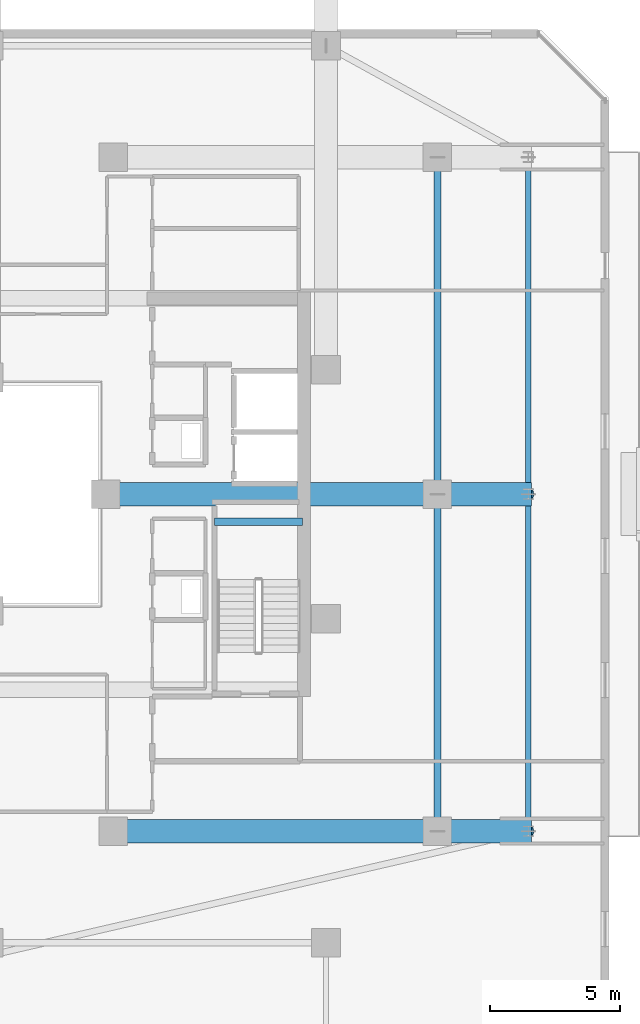
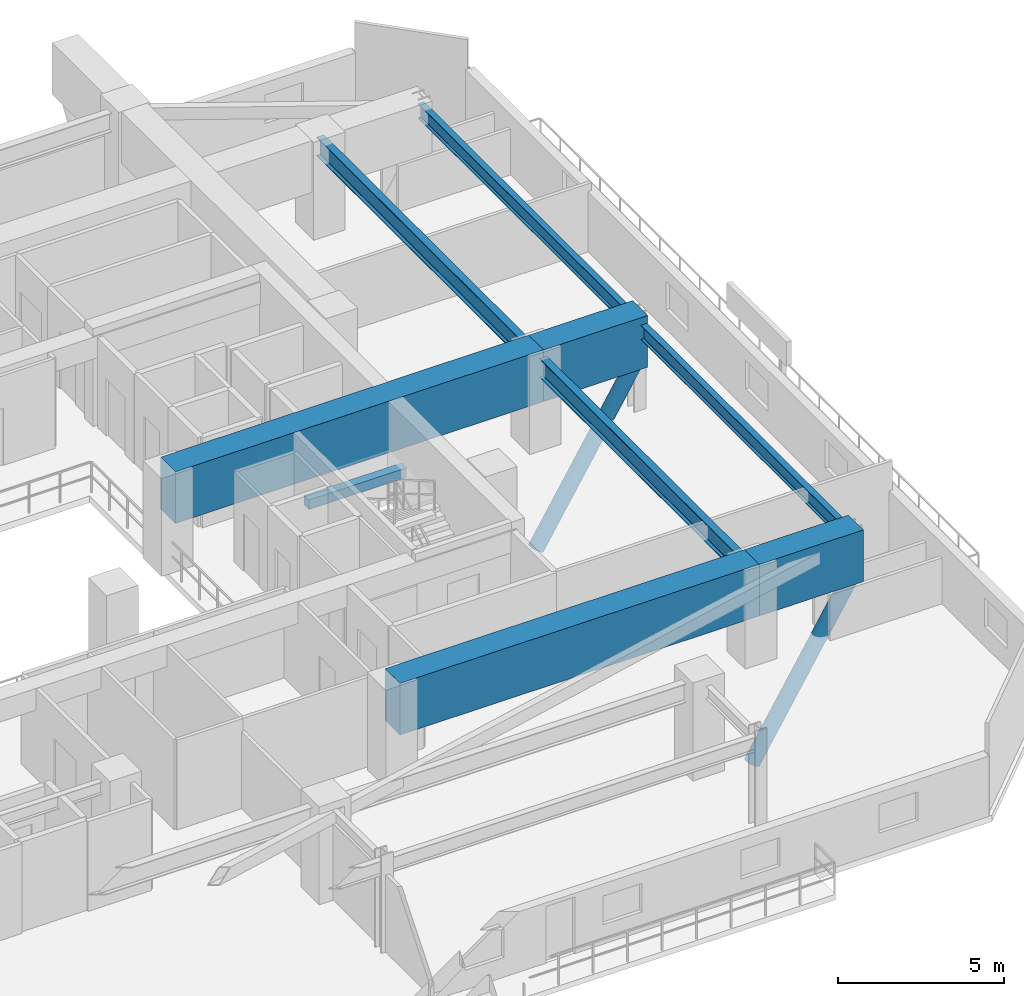
# One storey, part 13 of 35: 9 beams, 2 members.
"""IFC4 building model written with IfcOpenShell, lengths in metres."""

from ifc_helpers import new_model, si_unit, direction, frame, origin, origin_2d, place, context, subcontext, project, spatial, rectangle, hollow_circle, i_section, extrude, material, material_profile, profile_set, type_object, element, save


model = new_model("IFC4")

# Units and contexts
model_context = context("Model", 3, precision=1e-05, world=origin(), true_north=direction((0.0, 1.0)))
body_context = subcontext(model_context, "Body", "Model", "MODEL_VIEW")
ifc_project = project(units=[si_unit("LENGTHUNIT", "METRE"), si_unit("AREAUNIT", "SQUARE_METRE"), si_unit("VOLUMEUNIT", "CUBIC_METRE"), si_unit("PLANEANGLEUNIT", "RADIAN"), si_unit("MASSUNIT", "GRAM", prefix="KILO")], contexts=[model_context])

# Site, building, storey
site_placement = place(None, origin())
site = spatial("IfcSite", under=ifc_project, at=site_placement, CompositionType="ELEMENT")
building_placement = place(site_placement, origin())
building = spatial("IfcBuilding", under=site, at=building_placement, Name="Thornwick Lancets Civic Towers", CompositionType="ELEMENT")
storey_placement = place(building_placement, frame((0.0, 0.0, 145.5)))
storey = spatial("IfcBuildingStorey", under=building, at=storey_placement, Name="L38", CompositionType="ELEMENT", Elevation=145.5)

# Beams
ifc_material_1 = material(Name="Steel S355JR", Category="steel")
ifc_material_profile_1 = material_profile(ifc_material_1, i_section(OverallWidth=0.210693359375, OverallDepth=0.53955078125, WebThickness=0.01171875, FlangeThickness=0.018798828125, FilletRadius=0.0126953125, at=origin_2d()), Name="UKB 533x210x109")
ifc_profile_set_1 = profile_set([ifc_material_profile_1], Name="Steel S355JR")
beam_type_1 = type_object("IfcBeamType", Name="BM_EDGE_533_109", PredefinedType="SPANDREL", material=ifc_profile_set_1)
beam_1_placement = place(storey_placement, frame((109.300048828125, 14.0, 3.05029296875), z_axis=(0.0, 1.0, 0.0), x_axis=(-1.0, 0.0, 0.0)))
element("IfcBeam", 1, at=beam_1_placement, inside=storey, type_object=beam_type_1, Name="BM-EDGE-L38-B-S0-1", PredefinedType="SPANDREL", context=body_context, shape_type="SweptSolid", body=[
    extrude(i_section(OverallWidth=0.210693359375, OverallDepth=0.53955078125, WebThickness=0.01171875, FlangeThickness=0.018798828125, FilletRadius=0.0126953125, at=origin_2d()), origin(), (0.0, 0.0, 1.0), 13.0),
])
beam_2_placement = place(storey_placement, frame((109.300048828125, 27.080078125, 3.05029296875), z_axis=(0.0, 1.0, 0.0), x_axis=(-1.0, 0.0, 0.0)))
element("IfcBeam", 2, at=beam_2_placement, inside=storey, type_object=beam_type_1, Name="BM-EDGE-L38-B-S0-2", PredefinedType="SPANDREL", context=body_context, shape_type="SweptSolid", body=[
    extrude(i_section(OverallWidth=0.210693359375, OverallDepth=0.53955078125, WebThickness=0.01171875, FlangeThickness=0.018798828125, FilletRadius=0.0126953125, at=origin_2d()), origin(), (0.0, 0.0, 1.0), 12.919921875),
])
ifc_material_profile_2 = material_profile(ifc_material_1, i_section(OverallWidth=0.255859375, OverallDepth=0.69287109375, WebThickness=0.014404296875, FlangeThickness=0.023681640625, FilletRadius=0.01513671875, at=origin_2d()), Name="UKB 686x254x170")
ifc_profile_set_2 = profile_set([ifc_material_profile_2], Name="Steel S355JR")
beam_type_2 = type_object("IfcBeamType", Name="BM_GIRD_686_170", PredefinedType="BEAM", material=ifc_profile_set_2)
beam_3_placement = place(storey_placement, frame((105.800048828125, 14.0, 2.973388671875), z_axis=(0.0, 1.0, 0.0), x_axis=(-1.0, 0.0, 0.0)))
element("IfcBeam", 3, at=beam_3_placement, inside=storey, type_object=beam_type_2, Name="BM-SPINE-L38-B-0-1", PredefinedType="BEAM", context=body_context, shape_type="SweptSolid", body=[
    extrude(i_section(OverallWidth=0.255859375, OverallDepth=0.69287109375, WebThickness=0.014404296875, FlangeThickness=0.023681640625, FilletRadius=0.01513671875, at=origin_2d()), origin(), (0.0, 0.0, 1.0), 13.0),
])
beam_4_placement = place(storey_placement, frame((105.800048828125, 27.080078125, 2.973388671875), z_axis=(0.0, 1.0, 0.0), x_axis=(-1.0, 0.0, 0.0)))
element("IfcBeam", 4, at=beam_4_placement, inside=storey, type_object=beam_type_2, Name="BM-SPINE-L38-B-1-2", PredefinedType="BEAM", context=body_context, shape_type="SweptSolid", body=[
    extrude(i_section(OverallWidth=0.255859375, OverallDepth=0.69287109375, WebThickness=0.014404296875, FlangeThickness=0.023681640625, FilletRadius=0.01513671875, at=origin_2d()), origin(), (0.0, 0.0, 1.0), 12.919921875),
])
ifc_material_2 = material(Name="Concrete C40/50", Category="concrete")
ifc_material_profile_3 = material_profile(ifc_material_2, rectangle(XDim=0.300048828125, YDim=0.35009765625, at=origin_2d()), Name="RC 300x350")
ifc_profile_set_3 = profile_set([ifc_material_profile_3], Name="Concrete C40/50")
beam_type_3 = type_object("IfcBeamType", Name="BM_STAIR_LDG", PredefinedType="BEAM", material=ifc_profile_set_3)
beam_5_placement = place(storey_placement, frame((100.60009765625, 25.93505859375, 1.3779296875), z_axis=(-1.0, 0.0, 0.0), x_axis=(0.0, -1.0, 0.0)))
element("IfcBeam", 5, at=beam_5_placement, inside=storey, type_object=beam_type_3, Name="L38 ST-B1 Landing Support Beam 1", PredefinedType="BEAM", context=body_context, shape_type="SweptSolid", body=[
    extrude(rectangle(XDim=0.300048828125, YDim=0.35009765625, at=origin_2d()), origin(), (0.0, 0.0, 1.0), 3.400146484375),
])
ifc_material_3 = material(Name="Concrete C60/75", Category="concrete")
ifc_material_profile_4 = material_profile(ifc_material_3, rectangle(XDim=0.89990234375, YDim=1.89990234375, at=origin_2d()), Name="RC 900x1900")
ifc_profile_set_4 = profile_set([ifc_material_profile_4], Name="Concrete C60/75")
beam_type_4 = type_object("IfcBeamType", Name="BM_TR_RC1900", PredefinedType="BEAM", material=ifc_profile_set_4)
beam_6_placement = place(storey_placement, frame((93.300048828125, 14.0, 2.64990234375), z_axis=(1.0, 0.0, 0.0), x_axis=(0.0, 1.0, 0.0)))
element("IfcBeam", 6, at=beam_6_placement, inside=storey, type_object=beam_type_4, Name="TG-BACK-L39-B01", PredefinedType="BEAM", context=body_context, shape_type="SweptSolid", body=[
    extrude(rectangle(XDim=0.89990234375, YDim=1.89990234375, at=origin_2d()), origin(), (0.0, 0.0, 1.0), 12.5),
])
beam_7_placement = place(storey_placement, frame((105.800048828125, 14.0, 2.64990234375), z_axis=(1.0, 0.0, 0.0), x_axis=(0.0, 1.0, 0.0)))
element("IfcBeam", 7, at=beam_7_placement, inside=storey, type_object=beam_type_4, Name="TG-CANT-L39-B01", PredefinedType="BEAM", context=body_context, shape_type="SweptSolid", body=[
    extrude(rectangle(XDim=0.89990234375, YDim=1.89990234375, at=origin_2d()), origin(), (0.0, 0.0, 1.0), 3.619873046875),
])
beam_8_placement = place(storey_placement, frame((93.0, 27.0, 2.64990234375), z_axis=(1.0, 0.0, 0.0), x_axis=(0.0, 1.0, 0.0)))
element("IfcBeam", 8, at=beam_8_placement, inside=storey, type_object=beam_type_4, Name="TG-BACK-L39-B02", PredefinedType="BEAM", context=body_context, shape_type="SweptSolid", body=[
    extrude(rectangle(XDim=0.89990234375, YDim=1.89990234375, at=origin_2d()), origin(), (0.0, 0.0, 1.0), 12.800048828125),
])
beam_9_placement = place(storey_placement, frame((105.800048828125, 27.0, 2.64990234375), z_axis=(1.0, 0.0, 0.0), x_axis=(0.0, 1.0, 0.0)))
element("IfcBeam", 9, at=beam_9_placement, inside=storey, type_object=beam_type_4, Name="TG-CANT-L39-B02", PredefinedType="BEAM", context=body_context, shape_type="SweptSolid", body=[
    extrude(rectangle(XDim=0.89990234375, YDim=1.89990234375, at=origin_2d()), origin(), (0.0, 0.0, 1.0), 3.619873046875),
])

# Members
ifc_material_4 = material(Name="Steel S460M", Category="steel")
ifc_material_profile_5 = material_profile(ifc_material_4, hollow_circle(Radius=0.25390625, WallThickness=0.02490234375, at=origin_2d()), Name="CHS 508x25")
ifc_profile_set_5 = profile_set([ifc_material_profile_5], Name="Steel S460M")
member_type = type_object("IfcMemberType", Name="MEM_STRUT_CHS508", PredefinedType="STRUT", material=ifc_profile_set_5)
for number, where, z_axis, x_axis, name in (
    (10, (105.800048828125, 14.0, -3.949951171875), (0.52127056277, 0.0, 0.853391469602), (0.0, 1.0, 0.0), "L39 Jenga Transfer Raking Strut B01"),
    (11, (105.800048828125, 27.0, -3.949951171875), (0.52127056277, 0.0, 0.853391469602), (0.0, 1.0, 0.0), "L39 Jenga Transfer Raking Strut B02"),
):
    element("IfcMember", number, at=place(storey_placement, frame(where, z_axis=z_axis, x_axis=x_axis)), inside=storey, type_object=member_type, Name=name, PredefinedType="STRUT", context=body_context, shape_type="SweptSolid", body=[
        extrude(hollow_circle(Radius=0.25390625, WallThickness=0.02490234375, at=origin_2d()), origin(), (0.0, 0.0, 1.0), 6.71435546875),
    ])

save(model, "model.ifc")
